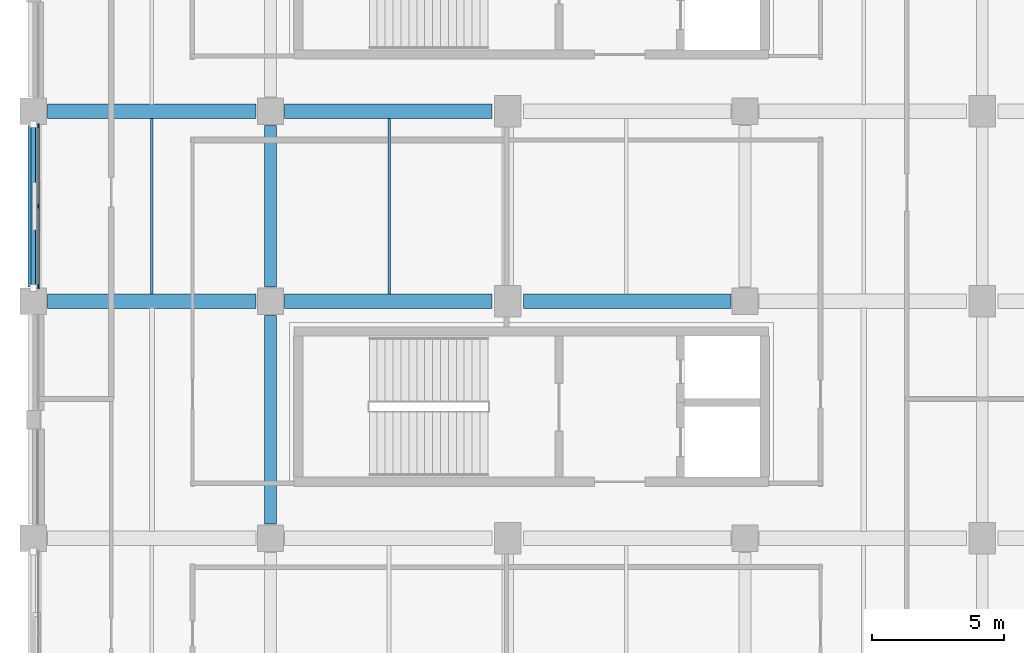
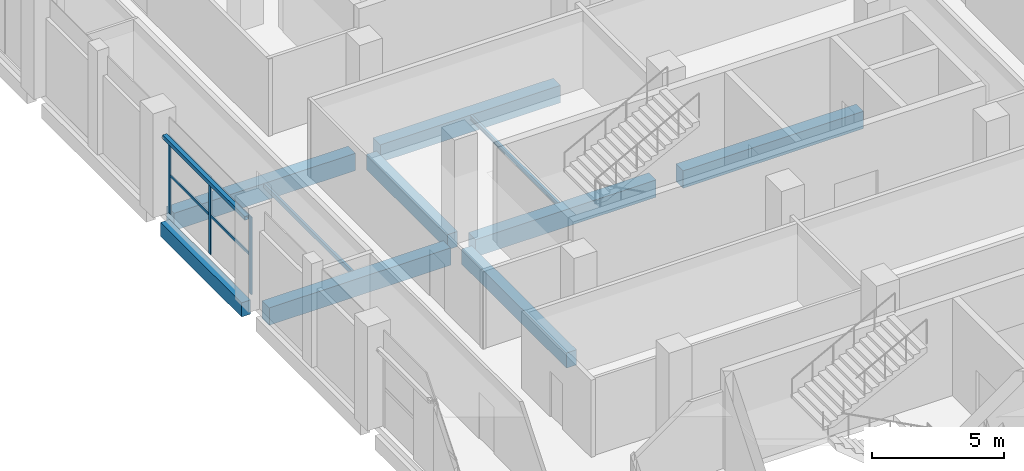
# One storey, part 16 of 111: 10 beams, 6 members, 1 element without a shape of its own.
"""IFC4 building model written with IfcOpenShell, lengths in metres."""

import ifcopenshell
import ifcopenshell.guid

model = None  # the IFC model being written
_history = None  # IfcOwnerHistory: only IFC2X3 demands one
_inside = {}  # id of a spatial element -> (the spatial element, [elements in it])
_under = {}  # id of a project, library or spatial element -> (it, [spatial elements below it])
_declared = {}  # id of a project -> (the project, [libraries it declares])
_typed = {}  # id of a type object -> (the type object, [elements of that type])
_made_of = {}  # id of a material, layer set ... -> (it, [elements and type objects made of it])


def new_model(schema):
    """Start an empty IFC model of exactly this schema.

    Asked for "IFC4X3", IfcOpenShell would pick the latest addendum, in which some entities
    have other attributes; the version numbers below select the first issue.
    IFC2X3 requires an IfcOwnerHistory on every rooted entity: one is made here for all.
    """
    global model, _history
    if schema == "IFC4X3":
        model = ifcopenshell.file(schema_version=(4, 3, 0, 0))
    else:
        model = ifcopenshell.file(schema=schema)
    _inside.clear()
    _under.clear()
    _declared.clear()
    _typed.clear()
    _made_of.clear()
    _history = None
    if model.schema == "IFC2X3":
        org = make("IfcOrganization", Name="unknown")
        user = make(
            "IfcPersonAndOrganization",
            ThePerson=make("IfcPerson", FamilyName="unknown"),
            TheOrganization=org,
        )
        app = make(
            "IfcApplication",
            ApplicationDeveloper=org,
            Version="unknown",
            ApplicationFullName="unknown",
            ApplicationIdentifier="unknown",
        )
        _history = make(
            "IfcOwnerHistory",
            OwningUser=user,
            OwningApplication=app,
            ChangeAction="ADDED",
            CreationDate=0,
        )
    return model


def make(cls, **values):
    """One entity of the class cls with the attributes given. An attribute that is None is left unset."""
    return model.create_entity(
        cls, **{name: value for name, value in values.items() if value is not None}
    )


def rooted(cls, **values):
    """An entity with a GlobalId (a new one), such as an element, a storey or a relation."""
    return make(cls, GlobalId=ifcopenshell.guid.new(), OwnerHistory=_history, **values)


def si_unit(unit_type, name, prefix=None):
    """IfcSIUnit, for example si_unit("LENGTHUNIT", "METRE", prefix="MILLI")."""
    return make("IfcSIUnit", UnitType=unit_type, Prefix=prefix, Name=name)


def assignment(units):
    """IfcUnitAssignment: the units of a project."""
    return None if units is None else make("IfcUnitAssignment", Units=units)


def point(xyz):
    """IfcCartesianPoint."""
    return None if xyz is None else make("IfcCartesianPoint", Coordinates=xyz)


def direction(xyz):
    """IfcDirection."""
    return None if xyz is None else make("IfcDirection", DirectionRatios=xyz)


def frame(location, z_axis=None, x_axis=None):
    """IfcAxis2Placement3D, a coordinate frame: its origin and axes. An axis left out is left unset."""
    return make(
        "IfcAxis2Placement3D",
        Location=point(location),
        Axis=direction(z_axis),
        RefDirection=direction(x_axis),
    )


def frame_2d(location, x_axis=None):
    """IfcAxis2Placement2D, a coordinate frame in the plane: its origin and x axis."""
    return make(
        "IfcAxis2Placement2D", Location=point(location), RefDirection=direction(x_axis)
    )


def origin():
    """The frame at (0, 0, 0) with its axes left unset."""
    return frame((0.0, 0.0, 0.0))


def origin_2d():
    """The frame at (0, 0) in the plane with its x axis left unset."""
    return frame_2d((0.0, 0.0))


def place(relative_to, where):
    """IfcLocalPlacement: puts the frame where relative to a parent placement (None: the world)."""
    return make(
        "IfcLocalPlacement", PlacementRelTo=relative_to, RelativePlacement=where
    )


def context(
    kind, dimensions, precision=None, world=None, true_north=None, identifier=None
):
    """IfcGeometricRepresentationContext, for example the 3D "Model" context."""
    return make(
        "IfcGeometricRepresentationContext",
        ContextIdentifier=identifier,
        ContextType=kind,
        CoordinateSpaceDimension=dimensions,
        Precision=precision,
        WorldCoordinateSystem=world,
        TrueNorth=true_north,
    )


def subcontext(parent, identifier, kind, view, scale=None):
    """IfcGeometricRepresentationSubContext, for example "Body" below "Model"."""
    return make(
        "IfcGeometricRepresentationSubContext",
        ContextIdentifier=identifier,
        ContextType=kind,
        ParentContext=parent,
        TargetScale=scale,
        TargetView=view,
    )


def project(units=None, contexts=None):
    """IfcProject with its units and contexts."""
    return rooted(
        "IfcProject",
        Name="project",
        RepresentationContexts=contexts,
        UnitsInContext=assignment(units),
    )


def spatial(cls, under=None, at=None, **own):
    """A site, building, storey or space (cls), placed at a placement, below another one or the project."""
    s = rooted(cls, ObjectPlacement=at, **own)
    if under is not None:
        _under.setdefault(under.id(), (under, []))[1].append(s)
    return s


def profile(cls, at=None, kind="AREA", **sizes):
    """A parametric profile (cls). Its sizes go by their IFC names, for example OverallWidth=200.0."""
    return make(cls, ProfileType=kind, Position=at, **sizes)


def rectangle(**sizes):
    """IfcRectangleProfileDef."""
    return profile("IfcRectangleProfileDef", **sizes)


def hollow_rectangle(**sizes):
    """IfcRectangleHollowProfileDef."""
    return profile("IfcRectangleHollowProfileDef", **sizes)


def i_section(**sizes):
    """IfcIShapeProfileDef."""
    return profile("IfcIShapeProfileDef", **sizes)


def extrude(swept, where, along, depth):
    """IfcExtrudedAreaSolid: the profile swept, set in the frame where, extruded along a direction by depth."""
    return make(
        "IfcExtrudedAreaSolid",
        SweptArea=swept,
        Position=where,
        ExtrudedDirection=direction(along),
        Depth=depth,
    )


def shape(context_of_items, identifier, shape_type, items):
    """IfcShapeRepresentation: the items that make up one representation, for example the "Body"."""
    return make(
        "IfcShapeRepresentation",
        ContextOfItems=context_of_items,
        RepresentationIdentifier=identifier,
        RepresentationType=shape_type,
        Items=items,
    )


def material(Name=None, Category=None):
    """IfcMaterial."""
    return make("IfcMaterial", Name=Name, Category=Category)


def material_profile(
    of_material, cross_section, Name=None, Category=None, Priority=None
):
    """IfcMaterialProfile: a cross section and its material."""
    return make(
        "IfcMaterialProfile",
        Name=Name,
        Material=of_material,
        Profile=cross_section,
        Priority=Priority,
        Category=Category,
    )


def profile_set(profiles, Name=None, composite=None):
    """IfcMaterialProfileSet."""
    return make(
        "IfcMaterialProfileSet",
        Name=Name,
        MaterialProfiles=profiles,
        CompositeProfile=composite,
    )


def made_of(thing, what):
    """Note that an element or type object is made of a material, layer set ...; save() writes the relation."""
    if what is not None:
        _made_of.setdefault(what.id(), (what, []))[1].append(thing)
    return thing


def type_object(cls, material=None, **own):
    """A type object (cls), such as IfcWallType, which elements share."""
    return made_of(rooted(cls, **own), material)


def element(
    cls,
    number,
    at=None,
    inside=None,
    cuts=None,
    type_object=None,
    material=None,
    context=None,
    identifier="Body",
    shape_type=None,
    held_by="IfcProductDefinitionShape",
    body=None,
    shapes=None,
    **own,
):
    """One element of the class cls, such as IfcWall. Its Tag is "e" and its number.

    at: its placement. inside: the storey or other place that contains it. cuts: it is an
    opening in that element (IfcRelVoidsElement). A single representation is given by context,
    identifier, shape_type and body (its items); several are given by shapes. held_by: the class
    of the entity that holds the representations. save() writes the other relations.
    """
    e = rooted(cls, Tag="e%d" % number, ObjectPlacement=at, **own)
    if body is not None:
        shapes = [shape(context, identifier, shape_type, body)]
    if shapes is not None:
        e.Representation = make(held_by, Representations=shapes)
    if inside is not None:
        _inside.setdefault(inside.id(), (inside, []))[1].append(e)
    if cuts is not None:
        rooted(
            "IfcRelVoidsElement", RelatingBuildingElement=cuts, RelatedOpeningElement=e
        )
    if type_object is not None:
        _typed.setdefault(type_object.id(), (type_object, []))[1].append(e)
    return made_of(e, material)


def aggregate(whole, parts):
    """IfcRelAggregates: a whole, such as a stair, and the parts it consists of."""
    return rooted("IfcRelAggregates", RelatingObject=whole, RelatedObjects=parts)


def save(model, path):
    """Write the relations noted so far, then the file.

    IfcRelAggregates (storeys below a building ...), IfcRelContainedInSpatialStructure (elements
    in a storey), IfcRelDefinesByType, IfcRelAssociatesMaterial and IfcRelDeclares: one each for
    every whole, place, type object, material and project.
    """
    for whole, parts in _under.values():
        aggregate(whole, parts)
    for where, things in _inside.values():
        rooted(
            "IfcRelContainedInSpatialStructure",
            RelatedElements=things,
            RelatingStructure=where,
        )
    for kind, things in _typed.values():
        rooted("IfcRelDefinesByType", RelatedObjects=things, RelatingType=kind)
    for what, things in _made_of.values():
        rooted("IfcRelAssociatesMaterial", RelatedObjects=things, RelatingMaterial=what)
    for by, libraries in _declared.values():
        rooted("IfcRelDeclares", RelatingContext=by, RelatedDefinitions=libraries)
    model.write(path)


model = new_model("IFC4")

# Units and contexts
model_context = context("Model", 3, precision=1e-05, world=origin(), true_north=direction((0.0, 1.0)))
body_context = subcontext(model_context, "Body", "Model", "MODEL_VIEW")
ifc_project = project(units=[si_unit("LENGTHUNIT", "METRE"), si_unit("AREAUNIT", "SQUARE_METRE"), si_unit("VOLUMEUNIT", "CUBIC_METRE"), si_unit("PLANEANGLEUNIT", "RADIAN"), si_unit("MASSUNIT", "GRAM", prefix="KILO"), si_unit("THERMODYNAMICTEMPERATUREUNIT", "KELVIN"), si_unit("POWERUNIT", "WATT")], contexts=[model_context])

# Site, building, storey
site_placement = place(None, origin())
site = spatial("IfcSite", under=ifc_project, at=site_placement, CompositionType="ELEMENT")
building_placement = place(site_placement, origin())
building = spatial("IfcBuilding", under=site, at=building_placement, Name="Sindhuravela Promenade Stadium", CompositionType="ELEMENT")
storey_placement = place(building_placement, frame((0.0, 0.0, 9.60009765625)))
storey = spatial("IfcBuildingStorey", under=building, at=storey_placement, Name="L02", CompositionType="ELEMENT", Elevation=9.60009765625)

# Curtain wall, members
ifc_material_1 = material(Name="Anodised architectural aluminium 6063-T6", Category="aluminium")
curtain_wall_type = type_object("IfcCurtainWallType", Name="CW-MOD-2", PredefinedType="NOTDEFINED", material=ifc_material_1)
curtain_wall_placement = place(storey_placement, origin())
curtain_wall = element("IfcCurtainWall", 1, at=curtain_wall_placement, inside=storey, type_object=curtain_wall_type, Name="Bronze curtain wall CW-WEST-L02-009", PredefinedType="NOTDEFINED")
ifc_material_profile_1 = material_profile(ifc_material_1, rectangle(XDim=0.06005859375, YDim=0.159912109375, at=origin_2d()), Name="ALU M60x160")
ifc_profile_set_1 = profile_set([ifc_material_profile_1], Name="Anodised architectural aluminium 6063-T6")
member_type_1 = type_object("IfcMemberType", Name="CW-MUL-4", PredefinedType="MULLION", material=ifc_profile_set_1)
member_1_placement = place(storey_placement, frame((0.199951171875, 94.14990234375, 0.0), z_axis=(0.0, 0.0, 1.0), x_axis=(1.0, 0.0, 0.0)))
member_1 = element("IfcMember", 2, at=member_1_placement, type_object=member_type_1, Name="Curtain wall mullion CW-WEST-L02-009-M1", PredefinedType="MULLION", context=body_context, shape_type="SweptSolid", body=[
    extrude(rectangle(XDim=0.06005859375, YDim=0.159912109375, at=origin_2d()), origin(), (0.0, 0.0, 1.0), 3.579833984375),
])
member_2_placement = place(storey_placement, frame((0.199951171875, 97.199951171875, 0.0), z_axis=(0.0, 0.0, 1.0), x_axis=(1.0, 0.0, 0.0)))
member_2 = element("IfcMember", 3, at=member_2_placement, type_object=member_type_1, Name="Curtain wall mullion CW-WEST-L02-009-M2", PredefinedType="MULLION", context=body_context, shape_type="SweptSolid", body=[
    extrude(rectangle(XDim=0.06005859375, YDim=0.159912109375, at=origin_2d()), origin(), (0.0, 0.0, 1.0), 3.579833984375),
])
member_3_placement = place(storey_placement, frame((0.199951171875, 100.25, 0.0), z_axis=(0.0, 0.0, 1.0), x_axis=(1.0, 0.0, 0.0)))
member_3 = element("IfcMember", 4, at=member_3_placement, type_object=member_type_1, Name="Curtain wall mullion CW-WEST-L02-009-M3", PredefinedType="MULLION", context=body_context, shape_type="SweptSolid", body=[
    extrude(rectangle(XDim=0.06005859375, YDim=0.159912109375, at=origin_2d()), origin(), (0.0, 0.0, 1.0), 3.579833984375),
])
ifc_material_profile_2 = material_profile(ifc_material_1, rectangle(XDim=0.06005859375, YDim=0.1201171875, at=origin_2d()), Name="ALU T60x120")
ifc_profile_set_2 = profile_set([ifc_material_profile_2], Name="Anodised architectural aluminium 6063-T6")
member_type_2 = type_object("IfcMemberType", Name="CW-TRN-4", PredefinedType="USERDEFINED", material=ifc_profile_set_2)
member_4_placement = place(storey_placement, frame((0.199951171875, 94.125, 1.789794921875), z_axis=(0.0, 1.0, 0.0), x_axis=(-1.0, 0.0, 0.0)))
member_4 = element("IfcMember", 5, at=member_4_placement, type_object=member_type_2, Name="Curtain wall transom CW-WEST-L02-009-T1", ObjectType="TRANSOM", PredefinedType="USERDEFINED", context=body_context, shape_type="SweptSolid", body=[
    extrude(rectangle(XDim=0.06005859375, YDim=0.1201171875, at=origin_2d()), origin(), (0.0, 0.0, 1.0), 6.14990234375),
])
member_5_placement = place(storey_placement, frame((0.199951171875, 94.125, 3.5), z_axis=(0.0, 1.0, 0.0), x_axis=(-1.0, 0.0, 0.0)))
member_5 = element("IfcMember", 6, at=member_5_placement, type_object=member_type_2, Name="Curtain wall transom CW-WEST-L02-009-T2", ObjectType="TRANSOM", PredefinedType="USERDEFINED", context=body_context, shape_type="SweptSolid", body=[
    extrude(rectangle(XDim=0.06005859375, YDim=0.1201171875, at=origin_2d()), origin(), (0.0, 0.0, 1.0), 6.14990234375),
])
aggregate(curtain_wall, [member_1, member_2, member_3, member_4, member_5])

# Beams
ifc_material_2 = material(Name="Concrete M40", Category="concrete")
ifc_material_profile_3 = material_profile(ifc_material_2, rectangle(XDim=0.39990234375, YDim=0.64990234375, at=origin_2d()), Name="RC 400x650")
ifc_profile_set_3 = profile_set([ifc_material_profile_3], Name="Concrete M40")
beam_type_1 = type_object("IfcBeamType", Name="RC-BM-400x650", PredefinedType="SPANDREL", material=ifc_profile_set_3)
beam_1_placement = place(storey_placement, frame((0.0, 94.139892578125, -0.60498046875), z_axis=(0.0, 1.0, 0.0), x_axis=(-1.0, 0.0, 0.0)))
element("IfcBeam", 7, at=beam_1_placement, inside=storey, type_object=beam_type_1, Name="Primary beam SP01 WEST L02", PredefinedType="SPANDREL", context=body_context, shape_type="SweptSolid", body=[
    extrude(rectangle(XDim=0.39990234375, YDim=0.64990234375, at=origin_2d()), origin(), (0.0, 0.0, 1.0), 6.1201171875),
])
ifc_material_profile_4 = material_profile(ifc_material_2, rectangle(XDim=0.449951171875, YDim=0.699951171875, at=origin_2d()), Name="RC 450x700")
ifc_profile_set_4 = profile_set([ifc_material_profile_4], Name="Concrete M40")
beam_type_2 = type_object("IfcBeamType", Name="RC-BM-450x700", PredefinedType="BEAM", material=ifc_profile_set_4)
beam_2_placement = place(storey_placement, frame((9.0, 85.139892578125, -0.630126953125), z_axis=(0.0, 1.0, 0.0), x_axis=(-1.0, 0.0, 0.0)))
element("IfcBeam", 8, at=beam_2_placement, inside=storey, type_object=beam_type_2, Name="Primary beam GB07 WEST L02", PredefinedType="BEAM", context=body_context, shape_type="SweptSolid", body=[
    extrude(rectangle(XDim=0.449951171875, YDim=0.699951171875, at=origin_2d()), origin(), (0.0, 0.0, 1.0), 7.920166015625),
])
beam_3_placement = place(storey_placement, frame((9.0, 94.139892578125, -0.630126953125), z_axis=(0.0, 1.0, 0.0), x_axis=(-1.0, 0.0, 0.0)))
element("IfcBeam", 9, at=beam_3_placement, inside=storey, type_object=beam_type_2, Name="Primary beam GB07 WEST L02", PredefinedType="BEAM", context=body_context, shape_type="SweptSolid", body=[
    extrude(rectangle(XDim=0.449951171875, YDim=0.699951171875, at=origin_2d()), origin(), (0.0, 0.0, 1.0), 6.1201171875),
])
ifc_material_profile_5 = material_profile(ifc_material_2, rectangle(XDim=0.550048828125, YDim=0.800048828125, at=origin_2d()), Name="RC 550x800")
ifc_profile_set_5 = profile_set([ifc_material_profile_5], Name="Concrete M40")
beam_type_3 = type_object("IfcBeamType", Name="RC-BM-550x800", PredefinedType="BEAM", material=ifc_profile_set_5)
beam_4_placement = place(storey_placement, frame((0.5400390625, 93.60009765625, -0.68017578125), z_axis=(1.0, 0.0, 0.0), x_axis=(0.0, 1.0, 0.0)))
element("IfcBeam", 10, at=beam_4_placement, inside=storey, type_object=beam_type_3, Name="Primary girder GB05 WEST L02", PredefinedType="BEAM", context=body_context, shape_type="SweptSolid", body=[
    extrude(rectangle(XDim=0.550048828125, YDim=0.800048828125, at=origin_2d()), origin(), (0.0, 0.0, 1.0), 7.919921875),
])
for number, where, z_axis, x_axis, name in (
    (11, (9.5400390625, 93.60009765625, -0.68017578125), (1.0, 0.0, 0.0), (0.0, 1.0, 0.0), "Primary girder GB05 WEST L02"),
    (12, (18.590087890625, 93.60009765625, -0.68017578125), (1.0, 0.0, 0.0), (0.0, 1.0, 0.0), "Primary girder GB05 WEST L02"),
):
    element("IfcBeam", number, at=place(storey_placement, frame(where, z_axis=z_axis, x_axis=x_axis)), inside=storey, type_object=beam_type_3, Name=name, PredefinedType="BEAM", context=body_context, shape_type="SweptSolid", body=[
        extrude(rectangle(XDim=0.550048828125, YDim=0.800048828125, at=origin_2d()), origin(), (0.0, 0.0, 1.0), 7.869873046875),
    ])
beam_5_placement = place(storey_placement, frame((0.5400390625, 100.800048828125, -0.68017578125), z_axis=(1.0, 0.0, 0.0), x_axis=(0.0, 1.0, 0.0)))
element("IfcBeam", 13, at=beam_5_placement, inside=storey, type_object=beam_type_3, Name="Primary girder GB05 WEST L02", PredefinedType="BEAM", context=body_context, shape_type="SweptSolid", body=[
    extrude(rectangle(XDim=0.550048828125, YDim=0.800048828125, at=origin_2d()), origin(), (0.0, 0.0, 1.0), 7.919921875),
])
beam_6_placement = place(storey_placement, frame((9.5400390625, 100.800048828125, -0.68017578125), z_axis=(1.0, 0.0, 0.0), x_axis=(0.0, 1.0, 0.0)))
element("IfcBeam", 14, at=beam_6_placement, inside=storey, type_object=beam_type_3, Name="Primary girder GB05 WEST L02", PredefinedType="BEAM", context=body_context, shape_type="SweptSolid", body=[
    extrude(rectangle(XDim=0.550048828125, YDim=0.800048828125, at=origin_2d()), origin(), (0.0, 0.0, 1.0), 7.869873046875),
])
ifc_material_3 = material(Name="Steel E350 (IS 2062 E350BR)", Category="steel")
ifc_material_profile_6 = material_profile(ifc_material_3, hollow_rectangle(XDim=0.10009765625, YDim=0.199951171875, WallThickness=0.008056640625, at=origin_2d()), Name="RHS 200x100x8")
ifc_profile_set_6 = profile_set([ifc_material_profile_6], Name="Steel E350 (IS 2062 E350BR)")
beam_type_4 = type_object("IfcBeamType", Name="ST-BM-LNT200", PredefinedType="LINTEL", material=ifc_profile_set_6)
beam_7_placement = place(storey_placement, frame((4.5, 93.864990234375, -0.380126953125), z_axis=(0.0, 1.0, 0.0), x_axis=(-1.0, 0.0, 0.0)))
element("IfcBeam", 15, at=beam_7_placement, inside=storey, type_object=beam_type_4, Name="Secondary floor joist LN01 WEST L02", PredefinedType="LINTEL", context=body_context, shape_type="SweptSolid", body=[
    extrude(hollow_rectangle(XDim=0.10009765625, YDim=0.199951171875, WallThickness=0.008056640625, at=origin_2d()), origin(), (0.0, 0.0, 1.0), 6.669921875),
])
ifc_material_profile_7 = material_profile(ifc_material_3, i_section(OverallWidth=0.10009765625, OverallDepth=0.199951171875, WebThickness=0.005615234375, FlangeThickness=0.0107421875, FilletRadius=0.010986328125, at=origin_2d()), Name="ISMB 200")
ifc_profile_set_7 = profile_set([ifc_material_profile_7], Name="Steel E350 (IS 2062 E350BR)")
beam_type_5 = type_object("IfcBeamType", Name="ST-BM-MB200", PredefinedType="JOIST", material=ifc_profile_set_7)
beam_8_placement = place(storey_placement, frame((13.5, 93.864990234375, -0.380126953125), z_axis=(0.0, 1.0, 0.0), x_axis=(-1.0, 0.0, 0.0)))
element("IfcBeam", 16, at=beam_8_placement, inside=storey, type_object=beam_type_5, Name="Secondary floor joist SB01 WEST L02", PredefinedType="JOIST", context=body_context, shape_type="SweptSolid", body=[
    extrude(i_section(OverallWidth=0.10009765625, OverallDepth=0.199951171875, WebThickness=0.005615234375, FlangeThickness=0.0107421875, FilletRadius=0.010986328125, at=origin_2d()), origin(), (0.0, 0.0, 1.0), 6.669921875),
])

# Member
ifc_material_profile_8 = material_profile(ifc_material_3, hollow_rectangle(XDim=0.179931640625, YDim=0.179931640625, WallThickness=0.010009765625, at=origin_2d()), Name="SHS 180x180x10")
ifc_profile_set_8 = profile_set([ifc_material_profile_8], Name="Steel E350 (IS 2062 E350BR)")
member_type_3 = type_object("IfcMemberType", Name="ST-MB-SHS180", PredefinedType="BRACE", material=ifc_profile_set_8)
member_6_placement = place(storey_placement, frame((0.0, 94.092041015625, 3.599853515625), z_axis=(0.0, 1.0, 0.0), x_axis=(-1.0, 0.0, 0.0)))
element("IfcMember", 17, at=member_6_placement, inside=storey, type_object=member_type_3, Name="Portal tie member MB02-4", PredefinedType="BRACE", context=body_context, shape_type="SweptSolid", body=[
    extrude(hollow_rectangle(XDim=0.179931640625, YDim=0.179931640625, WallThickness=0.010009765625, at=origin_2d()), origin(), (0.0, 0.0, 1.0), 6.216064453125),
])

save(model, "model.ifc")
